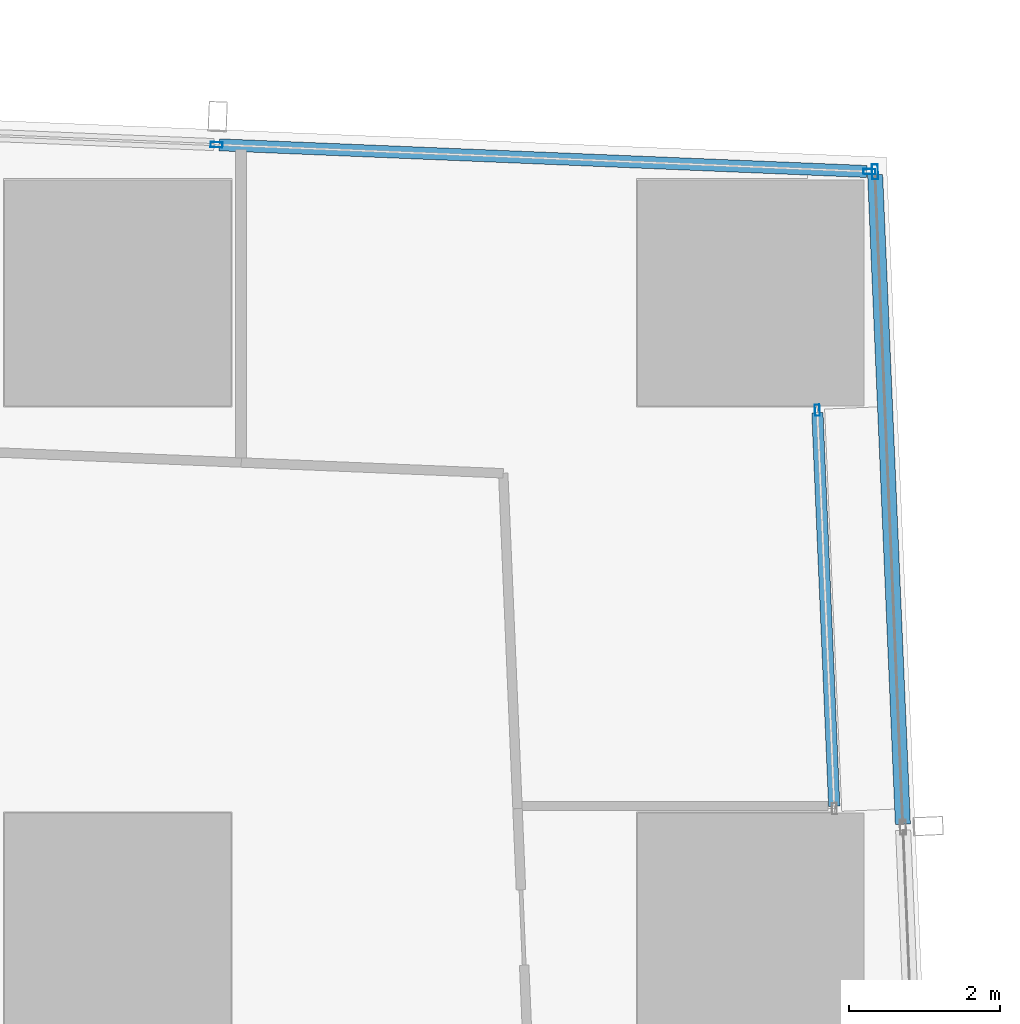
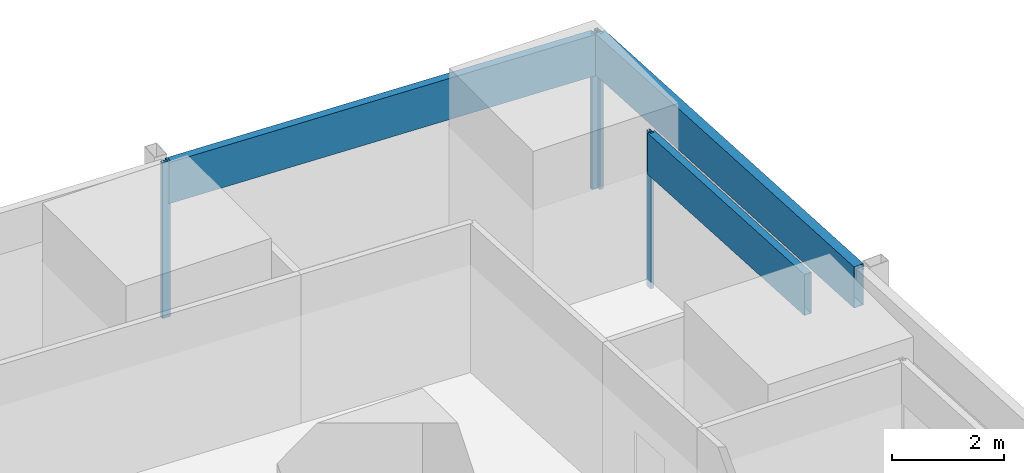
# One storey, part 23 of 44: 7 members, 3 elements without a shape of their own.
"""IFC4 building model written with IfcOpenShell, lengths in metres."""

from ifc_helpers import new_model, si_unit, direction, frame, origin, origin_2d, place, context, subcontext, project, spatial, hollow_rectangle, extrude, material, material_profile, profile_set, type_object, element, aggregate, save


model = new_model("IFC4")

# Units and contexts
model_context = context("Model", 3, precision=1e-05, world=origin(), true_north=direction((0.0, 1.0)))
body_context = subcontext(model_context, "Body", "Model", "MODEL_VIEW")
ifc_project = project(units=[si_unit("LENGTHUNIT", "METRE"), si_unit("AREAUNIT", "SQUARE_METRE"), si_unit("VOLUMEUNIT", "CUBIC_METRE"), si_unit("PLANEANGLEUNIT", "RADIAN"), si_unit("MASSUNIT", "GRAM", prefix="KILO")], contexts=[model_context])

# Site, building, storey
site_placement = place(None, origin())
site = spatial("IfcSite", under=ifc_project, at=site_placement, CompositionType="ELEMENT")
building_placement = place(site_placement, origin())
building = spatial("IfcBuilding", under=site, at=building_placement, Name="Rekha Terrace Tower", CompositionType="ELEMENT")
storey_placement = place(building_placement, frame((0.0, 0.0, 81.64990234375)))
storey = spatial("IfcBuildingStorey", under=building, at=storey_placement, Name="L20", CompositionType="ELEMENT", Elevation=81.64990234375)

# Curtain wall, members
ifc_material_1 = material(Name="Aluminium framing", Category="aluminium")
curtain_wall_type_1 = type_object("IfcCurtainWallType", Name="CW1 double skin inner glazing", PredefinedType="USERDEFINED", material=ifc_material_1)
curtain_wall_1_placement = place(storey_placement, origin())
curtain_wall_1 = element("IfcCurtainWall", 1, at=curtain_wall_1_placement, inside=storey, type_object=curtain_wall_type_1, Name="CW1 double skin inner glazing", ObjectType="DOUBLE SKIN INNER GLAZING", PredefinedType="USERDEFINED")
ifc_material_2 = material(Name="Aluminium mullion section", Category="aluminium")
ifc_material_profile_1 = material_profile(ifc_material_2, hollow_rectangle(XDim=0.06494140625, YDim=0.14990234375, WallThickness=0.00390625, at=origin_2d()), Name="AL RHS 65x150")
ifc_profile_set_1 = profile_set([ifc_material_profile_1], Name="Aluminium mullion section")
member_type_1 = type_object("IfcMemberType", Name="CW1 mullion RHS 65 x 150", PredefinedType="MULLION", material=ifc_profile_set_1)
member_1_placement = place(storey_placement, frame((68.08251953125, 57.243408203125, 0.0), z_axis=(0.0, 0.0, 1.0), x_axis=(-0.999088106898, -0.042696073061, 0.0)))
member_1 = element("IfcMember", 2, at=member_1_placement, type_object=member_type_1, Name="CW1 mullion 2", PredefinedType="MULLION", context=body_context, shape_type="SweptSolid", body=[
    extrude(hollow_rectangle(XDim=0.06494140625, YDim=0.14990234375, WallThickness=0.00390625, at=origin_2d()), origin(), (0.0, 0.0, 1.0), 3.400146484375),
])
ifc_material_3 = material(Name="Insulated aluminium spandrel box", Category="aluminium")
ifc_material_profile_2 = material_profile(ifc_material_3, hollow_rectangle(XDim=0.14990234375, YDim=0.89990234375, WallThickness=0.0029296875, at=origin_2d()), Name="AL SPANDREL BOX 150x900")
ifc_profile_set_2 = profile_set([ifc_material_profile_2], Name="Insulated aluminium spandrel box")
member_type_2 = type_object("IfcMemberType", Name="CW1 spandrel transom 150 x 900", PredefinedType="USERDEFINED", material=ifc_profile_set_2)
member_2_placement = place(storey_placement, frame((68.30712890625, 51.989013671875, 2.9501953125), z_axis=(-0.042739908497, 0.999086232625, 0.0), x_axis=(-0.999086232625, -0.042739908497, 0.0)))
member_2 = element("IfcMember", 3, at=member_2_placement, type_object=member_type_2, Name="CW1 spandrel transom 1", ObjectType="TRANSOM", PredefinedType="USERDEFINED", context=body_context, shape_type="SweptSolid", body=[
    extrude(hollow_rectangle(XDim=0.14990234375, YDim=0.89990234375, WallThickness=0.0029296875, at=origin_2d()), origin(), (0.0, 0.0, 1.0), 5.226806640625),
])
aggregate(curtain_wall_1, [member_1, member_2])

curtain_wall_type_2 = type_object("IfcCurtainWallType", Name="CW2 double skin outer glazing", PredefinedType="USERDEFINED", material=ifc_material_1)
curtain_wall_2_placement = place(storey_placement, origin())
curtain_wall_2 = element("IfcCurtainWall", 4, at=curtain_wall_2_placement, inside=storey, type_object=curtain_wall_type_2, Name="CW2 double skin outer glazing", ObjectType="DOUBLE SKIN OUTER GLAZING", PredefinedType="USERDEFINED")
ifc_material_profile_3 = material_profile(ifc_material_2, hollow_rectangle(XDim=0.080078125, YDim=0.199951171875, WallThickness=0.00390625, at=origin_2d()), Name="AL RHS 80x200")
ifc_profile_set_3 = profile_set([ifc_material_profile_3], Name="Aluminium mullion section")
member_type_3 = type_object("IfcMemberType", Name="CW2 mullion RHS 80 x 200", PredefinedType="MULLION", material=ifc_profile_set_3)
member_3_placement = place(storey_placement, frame((68.84814453125, 60.40625, 0.0), z_axis=(0.0, 0.0, 1.0), x_axis=(-0.999088106903, -0.042696072956, 0.0)))
member_3 = element("IfcMember", 5, at=member_3_placement, type_object=member_type_3, Name="CW2 mullion 5", PredefinedType="MULLION", context=body_context, shape_type="SweptSolid", body=[
    extrude(hollow_rectangle(XDim=0.080078125, YDim=0.199951171875, WallThickness=0.00390625, at=origin_2d()), origin(), (0.0, 0.0, 1.0), 3.400146484375),
])
ifc_material_profile_4 = material_profile(ifc_material_3, hollow_rectangle(XDim=0.199951171875, YDim=0.89990234375, WallThickness=0.0029296875, at=origin_2d()), Name="AL SPANDREL BOX 200x900")
ifc_profile_set_4 = profile_set([ifc_material_profile_4], Name="Insulated aluminium spandrel box")
member_type_4 = type_object("IfcMemberType", Name="CW2 spandrel transom 200 x 900", PredefinedType="USERDEFINED", material=ifc_profile_set_4)
member_4_placement = place(storey_placement, frame((69.218017578125, 51.750244140625, 2.9501953125), z_axis=(-0.042691483974, 0.999088303002, 0.0), x_axis=(-0.999088303002, -0.042691483974, 0.0)))
member_4 = element("IfcMember", 6, at=member_4_placement, type_object=member_type_4, Name="CW2 spandrel transom 4", ObjectType="TRANSOM", PredefinedType="USERDEFINED", context=body_context, shape_type="SweptSolid", body=[
    extrude(hollow_rectangle(XDim=0.199951171875, YDim=0.89990234375, WallThickness=0.0029296875, at=origin_2d()), origin(), (0.0, 0.0, 1.0), 8.623779296875),
])
aggregate(curtain_wall_2, [member_3, member_4])

curtain_wall_type_3 = type_object("IfcCurtainWallType", Name="CW3 north unitised glazing", PredefinedType="USERDEFINED", material=ifc_material_1)
curtain_wall_3_placement = place(storey_placement, origin())
curtain_wall_3 = element("IfcCurtainWall", 7, at=curtain_wall_3_placement, inside=storey, type_object=curtain_wall_type_3, Name="CW3 unitised curtain wall", ObjectType="UNITISED CURTAIN WALL", PredefinedType="USERDEFINED")
ifc_material_profile_5 = material_profile(ifc_material_2, hollow_rectangle(XDim=0.070068359375, YDim=0.159912109375, WallThickness=0.00390625, at=origin_2d()), Name="AL RHS 70x160")
ifc_profile_set_5 = profile_set([ifc_material_profile_5], Name="Aluminium mullion section")
member_type_5 = type_object("IfcMemberType", Name="CW3 mullion RHS 70 x 160", PredefinedType="MULLION", material=ifc_profile_set_5)
member_5_placement = place(storey_placement, frame((68.77294921875, 60.4091796875, 0.0), z_axis=(0.0, 0.0, 1.0), x_axis=(-0.041173846041, -0.999151997647, 0.0)))
member_5 = element("IfcMember", 8, at=member_5_placement, type_object=member_type_5, Name="CW3 mullion 1", PredefinedType="MULLION", context=body_context, shape_type="SweptSolid", body=[
    extrude(hollow_rectangle(XDim=0.070068359375, YDim=0.159912109375, WallThickness=0.00390625, at=origin_2d()), origin(), (0.0, 0.0, 1.0), 3.400146484375),
])
member_6_placement = place(storey_placement, frame((60.111572265625, 60.76611328125, 0.0), z_axis=(0.0, 0.0, 1.0), x_axis=(-0.041173846041, -0.999151997647, 0.0)))
member_6 = element("IfcMember", 9, at=member_6_placement, type_object=member_type_5, Name="CW3 mullion 2", PredefinedType="MULLION", context=body_context, shape_type="SweptSolid", body=[
    extrude(hollow_rectangle(XDim=0.070068359375, YDim=0.159912109375, WallThickness=0.00390625, at=origin_2d()), origin(), (0.0, 0.0, 1.0), 3.400146484375),
])
ifc_material_profile_6 = material_profile(ifc_material_3, hollow_rectangle(XDim=0.159912109375, YDim=0.89990234375, WallThickness=0.0029296875, at=origin_2d()), Name="AL SPANDREL BOX 160x900")
ifc_profile_set_6 = profile_set([ifc_material_profile_6], Name="Insulated aluminium spandrel box")
member_type_6 = type_object("IfcMemberType", Name="CW3 spandrel transom 160 x 900", PredefinedType="USERDEFINED", material=ifc_profile_set_6)
member_7_placement = place(storey_placement, frame((68.738037109375, 60.41064453125, 2.9501953125), z_axis=(-0.99915220621, 0.041168784604, 0.0), x_axis=(-0.041168784604, -0.99915220621, 0.0)))
member_7 = element("IfcMember", 10, at=member_7_placement, type_object=member_type_6, Name="CW3 spandrel transom 1", ObjectType="TRANSOM", PredefinedType="USERDEFINED", context=body_context, shape_type="SweptSolid", body=[
    extrude(hollow_rectangle(XDim=0.159912109375, YDim=0.89990234375, WallThickness=0.0029296875, at=origin_2d()), origin(), (0.0, 0.0, 1.0), 8.598876953125),
])
aggregate(curtain_wall_3, [member_5, member_6, member_7])

save(model, "model.ifc")
